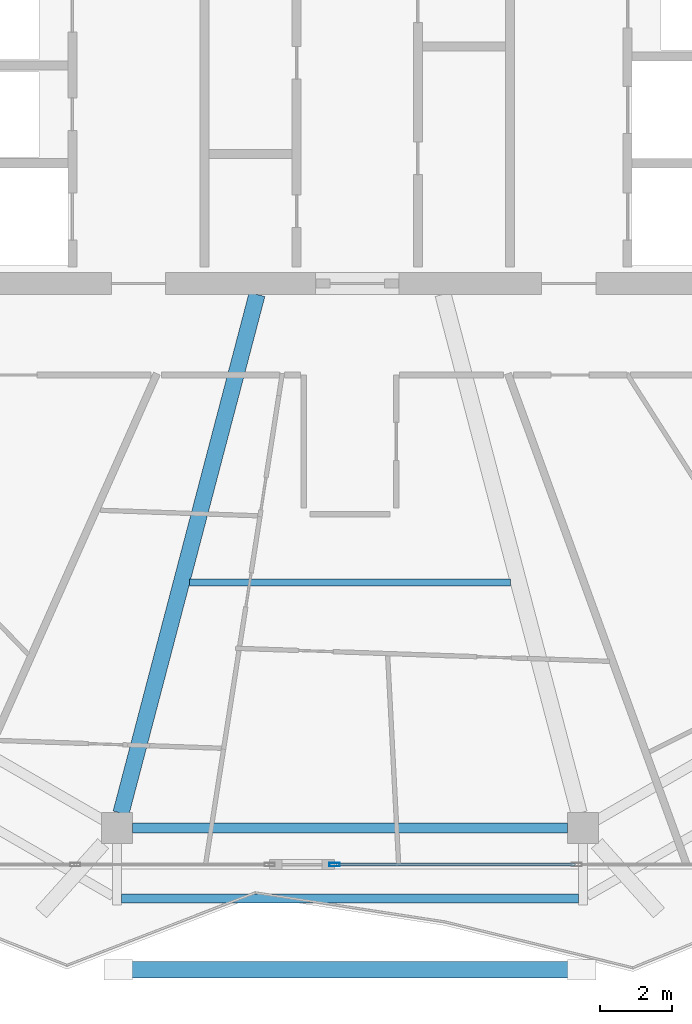
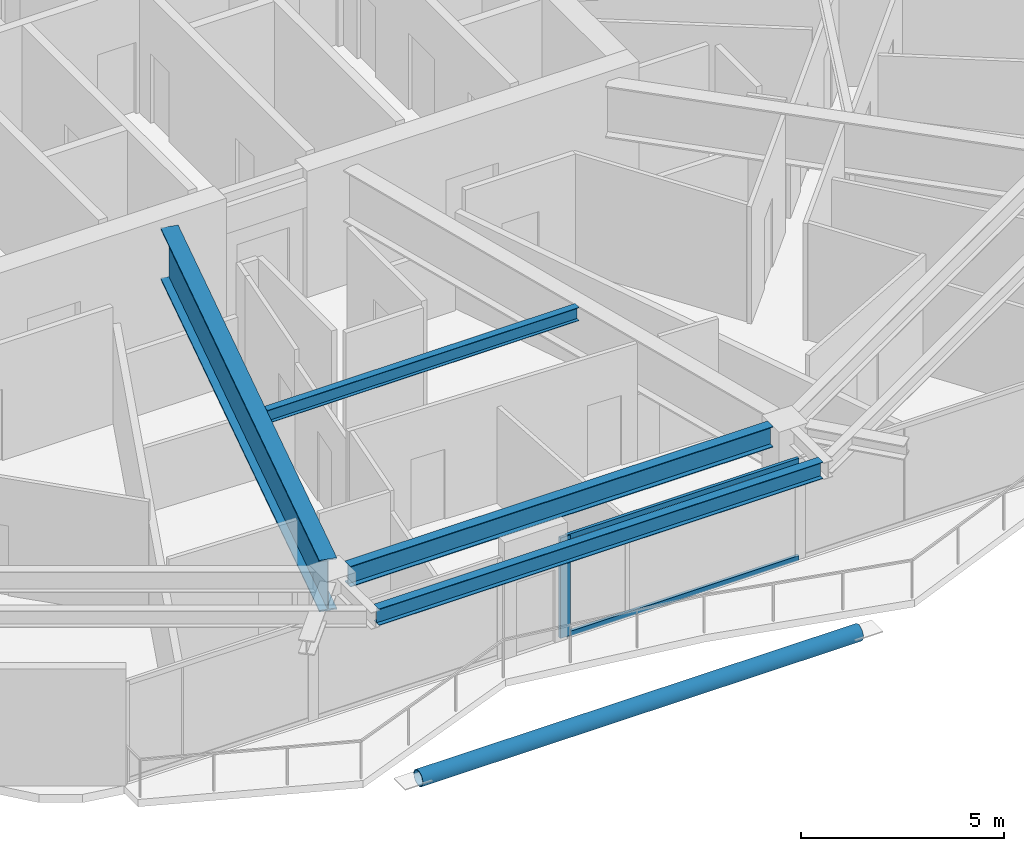
# One storey, part 5 of 26: 4 beams, 4 members, 1 element without a shape of its own.
"""IFC4 building model written with IfcOpenShell, lengths in metres."""

from ifc_helpers import new_model, si_unit, direction, frame, origin, origin_2d, place, context, subcontext, project, spatial, hollow_rectangle, hollow_circle, i_section, extrude, material, material_profile, profile_set, type_object, element, aggregate, save


model = new_model("IFC4")

# Units and contexts
model_context = context("Model", 3, precision=1e-05, world=origin(), true_north=direction((0.0, 1.0)))
body_context = subcontext(model_context, "Body", "Model", "MODEL_VIEW")
ifc_project = project(units=[si_unit("LENGTHUNIT", "METRE"), si_unit("AREAUNIT", "SQUARE_METRE"), si_unit("VOLUMEUNIT", "CUBIC_METRE"), si_unit("PLANEANGLEUNIT", "RADIAN"), si_unit("MASSUNIT", "GRAM", prefix="KILO")], contexts=[model_context])

# Site, building, storey
site_placement = place(None, origin())
site = spatial("IfcSite", under=ifc_project, at=site_placement, CompositionType="ELEMENT")
building_placement = place(site_placement, origin())
building = spatial("IfcBuilding", under=site, at=building_placement, Name="Zuhravey Tower", CompositionType="ELEMENT")
storey_placement = place(building_placement, frame((0.0, 0.0, 299.60009765625)))
storey = spatial("IfcBuildingStorey", under=building, at=storey_placement, Name="L76", CompositionType="ELEMENT", Elevation=299.60009765625)

# Curtain wall, members
ifc_material_1 = material(Name="Thermally broken anodised aluminium", Category="aluminium")
curtain_wall_type = type_object("IfcCurtainWallType", Name="Zone 3-4 High-Rise Curtain Wall CW4", PredefinedType="NOTDEFINED", material=ifc_material_1)
curtain_wall_placement = place(storey_placement, origin())
curtain_wall = element("IfcCurtainWall", 1, at=curtain_wall_placement, inside=storey, type_object=curtain_wall_type, Name="L76 CW4 CW-L76-F5-1", PredefinedType="NOTDEFINED")
ifc_material_2 = material(Name="Anodised aluminium", Category="aluminium")
ifc_material_profile_1 = material_profile(ifc_material_2, hollow_rectangle(XDim=0.090087890625, YDim=0.284912109375, WallThickness=0.0048828125, at=origin_2d()), Name="ALU-RHS-90x285x5")
ifc_profile_set_1 = profile_set([ifc_material_profile_1], Name="Anodised aluminium")
member_type_1 = type_object("IfcMemberType", Name="Curtain-Wall Mullion 90x180", PredefinedType="MULLION", material=ifc_profile_set_1)
member_1_placement = place(storey_placement, frame((35.570556640625, 6.436279296875, 0.0), z_axis=(0.0, 0.0, 1.0), x_axis=(0.0, -1.0, 0.0)))
member_1 = element("IfcMember", 2, at=member_1_placement, type_object=member_type_1, Name="CW4 mullion 3", PredefinedType="MULLION", context=body_context, shape_type="SweptSolid", body=[
    extrude(hollow_rectangle(XDim=0.090087890625, YDim=0.284912109375, WallThickness=0.0048828125, at=origin_2d()), origin(), (0.0, 0.0, 1.0), 3.02001953125),
])
ifc_material_profile_2 = material_profile(ifc_material_2, hollow_rectangle(XDim=0.090087890625, YDim=0.14990234375, WallThickness=0.0048828125, at=origin_2d()), Name="ALU-RHS-90x150x5")
ifc_profile_set_2 = profile_set([ifc_material_profile_2], Name="Anodised aluminium")
member_type_2 = type_object("IfcMemberType", Name="Curtain-Wall Transom 90x150", PredefinedType="USERDEFINED", material=ifc_profile_set_2)
member_2_placement = place(storey_placement, frame((42.22412109375, 6.436279296875, 0.044921875), z_axis=(-1.0, 0.0, 0.0), x_axis=(0.0, -1.0, 0.0)))
member_2 = element("IfcMember", 3, at=member_2_placement, type_object=member_type_2, Name="CW4 transom 2.1", ObjectType="TRANSOM", PredefinedType="USERDEFINED", context=body_context, shape_type="SweptSolid", body=[
    extrude(hollow_rectangle(XDim=0.090087890625, YDim=0.14990234375, WallThickness=0.0048828125, at=origin_2d()), origin(), (0.0, 0.0, 1.0), 6.608642578125),
])
member_3_placement = place(storey_placement, frame((42.22412109375, 6.436279296875, 2.974853515625), z_axis=(-1.0, 0.0, 0.0), x_axis=(0.0, -1.0, 0.0)))
member_3 = element("IfcMember", 4, at=member_3_placement, type_object=member_type_2, Name="CW4 transom 2.2", ObjectType="TRANSOM", PredefinedType="USERDEFINED", context=body_context, shape_type="SweptSolid", body=[
    extrude(hollow_rectangle(XDim=0.090087890625, YDim=0.14990234375, WallThickness=0.0048828125, at=origin_2d()), origin(), (0.0, 0.0, 1.0), 6.608642578125),
])
aggregate(curtain_wall, [member_1, member_2, member_3])

# Member
ifc_material_3 = material(Name="Steel SM355", Category="steel")
ifc_material_profile_3 = material_profile(ifc_material_3, hollow_circle(Radius=0.228515625, WallThickness=0.02197265625, at=origin_2d()), Name="CHS-457.2x22")
ifc_profile_set_3 = profile_set([ifc_material_profile_3], Name="Steel SM355")
member_type_3 = type_object("IfcMemberType", Name="Exoskeleton Ring Tie CHS457x22", PredefinedType="CHORD", material=ifc_profile_set_3)
member_4_placement = place(storey_placement, frame((29.732421875, 3.5263671875, -0.464111328125), z_axis=(1.0, 0.0, 0.0), x_axis=(0.0, 1.0, 0.0)))
element("IfcMember", 5, at=member_4_placement, inside=storey, type_object=member_type_3, Name="L76 Exoskeleton Face 5 Tie EXR1", PredefinedType="CHORD", context=body_context, shape_type="SweptSolid", body=[
    extrude(hollow_circle(Radius=0.228515625, WallThickness=0.02197265625, at=origin_2d()), origin(), (0.0, 0.0, 1.0), 12.53515625),
])

# Beams
ifc_material_4 = material(Name="Steel SM460", Category="steel")
ifc_material_profile_4 = material_profile(ifc_material_4, i_section(OverallWidth=0.449951171875, OverallDepth=1.550048828125, WebThickness=0.02587890625, FlangeThickness=0.0419921875, at=origin_2d()), Name="H-1550x450x26x42")
ifc_profile_set_4 = profile_set([ifc_material_profile_4], Name="Steel SM460")
beam_type_1 = type_object("IfcBeamType", Name="Heavy Setback Transfer Girder H1550x450", PredefinedType="BEAM", material=ifc_profile_set_4)
beam_1_placement = place(storey_placement, frame((33.428466796875, 22.197021484375, 2.744873046875), z_axis=(-0.25373188956, -0.967274587809, 0.0), x_axis=(0.967274587809, -0.25373188956, 0.0)))
element("IfcBeam", 6, at=beam_1_placement, inside=storey, type_object=beam_type_1, Name="L76 TG3 BM-L76-RAD-09", PredefinedType="BEAM", context=body_context, shape_type="SweptSolid", body=[
    extrude(i_section(OverallWidth=0.449951171875, OverallDepth=1.550048828125, WebThickness=0.02587890625, FlangeThickness=0.0419921875, at=origin_2d()), origin(), (0.0, 0.0, 1.0), 14.82177734375),
])
ifc_material_profile_5 = material_profile(ifc_material_3, i_section(OverallWidth=0.280029296875, OverallDepth=0.6201171875, WebThickness=0.011962890625, FlangeThickness=0.02001953125, at=origin_2d()), Name="H-620x280x12x20")
ifc_profile_set_5 = profile_set([ifc_material_profile_5], Name="Steel SM355")
beam_type_2 = type_object("IfcBeamType", Name="Perimeter Ring Beam H620x280", PredefinedType="BEAM", material=ifc_profile_set_5)
beam_2_placement = place(storey_placement, frame((29.987060546875, 7.4462890625, 3.2099609375), z_axis=(1.0, 0.0, 0.0), x_axis=(0.0, 1.0, 0.0)))
element("IfcBeam", 7, at=beam_2_placement, inside=storey, type_object=beam_type_2, Name="L76 PB3 BM-L76-PB-09", PredefinedType="BEAM", context=body_context, shape_type="SweptSolid", body=[
    extrude(i_section(OverallWidth=0.280029296875, OverallDepth=0.6201171875, WebThickness=0.011962890625, FlangeThickness=0.02001953125, at=origin_2d()), origin(), (0.0, 0.0, 1.0), 12.02587890625),
])
ifc_material_profile_6 = material_profile(ifc_material_3, i_section(OverallWidth=0.199951171875, OverallDepth=0.39990234375, WebThickness=0.008056640625, FlangeThickness=0.012939453125, at=origin_2d()), Name="H-400x200x8x13")
ifc_profile_set_6 = profile_set([ifc_material_profile_6], Name="Steel SM355")
beam_type_3 = type_object("IfcBeamType", Name="Secondary Floor Joist H400x200", PredefinedType="JOIST", material=ifc_profile_set_6)
beam_3_placement = place(storey_placement, frame((31.568115234375, 14.231689453125, 3.31982421875), z_axis=(1.0, 0.0, 0.0), x_axis=(0.0, 1.0, 0.0)))
element("IfcBeam", 8, at=beam_3_placement, inside=storey, type_object=beam_type_3, Name="L76 SJ2 BM-L76-SJ-09-1", PredefinedType="JOIST", context=body_context, shape_type="SweptSolid", body=[
    extrude(i_section(OverallWidth=0.199951171875, OverallDepth=0.39990234375, WebThickness=0.008056640625, FlangeThickness=0.012939453125, at=origin_2d()), origin(), (0.0, 0.0, 1.0), 8.86376953125),
])
ifc_material_profile_7 = material_profile(ifc_material_3, i_section(OverallWidth=0.25, OverallDepth=0.5, WebThickness=0.010009765625, FlangeThickness=0.01611328125, at=origin_2d()), Name="H-500x250x10x16")
ifc_profile_set_7 = profile_set([ifc_material_profile_7], Name="Steel SM355")
beam_type_4 = type_object("IfcBeamType", Name="Tray Cantilever Spandrel H500x250", PredefinedType="SPANDREL", material=ifc_profile_set_7)
beam_4_placement = place(storey_placement, frame((29.68212890625, 5.496337890625, 3.27001953125), z_axis=(1.0, 0.0, 0.0), x_axis=(0.0, 1.0, 0.0)))
element("IfcBeam", 9, at=beam_4_placement, inside=storey, type_object=beam_type_4, Name="L76 Sky-Tray Edge Spandrel TSB1-09", PredefinedType="SPANDREL", context=body_context, shape_type="SweptSolid", body=[
    extrude(i_section(OverallWidth=0.25, OverallDepth=0.5, WebThickness=0.010009765625, FlangeThickness=0.01611328125, at=origin_2d()), origin(), (0.0, 0.0, 1.0), 12.6357421875),
])

save(model, "model.ifc")
